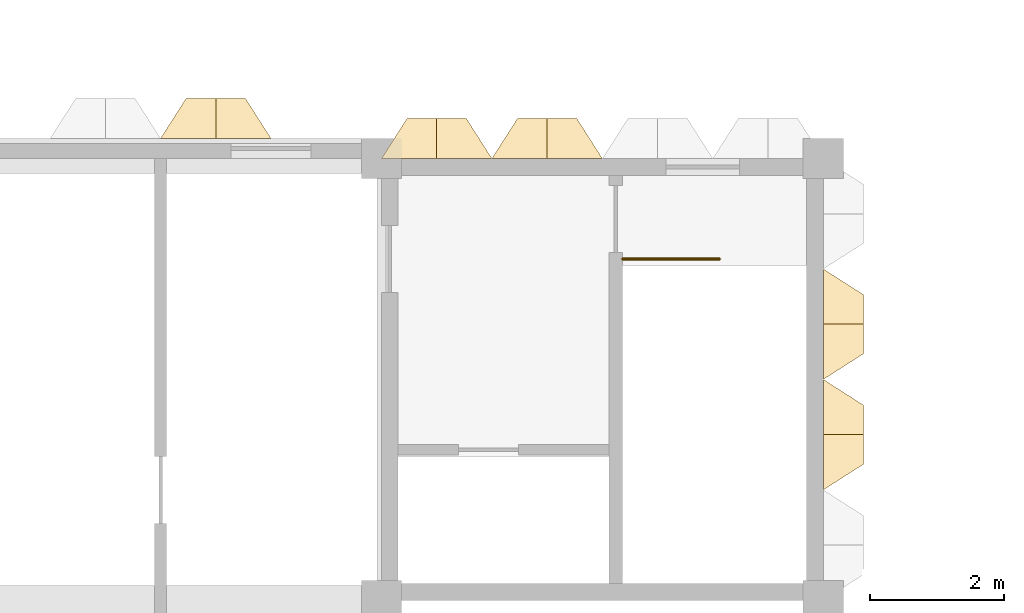
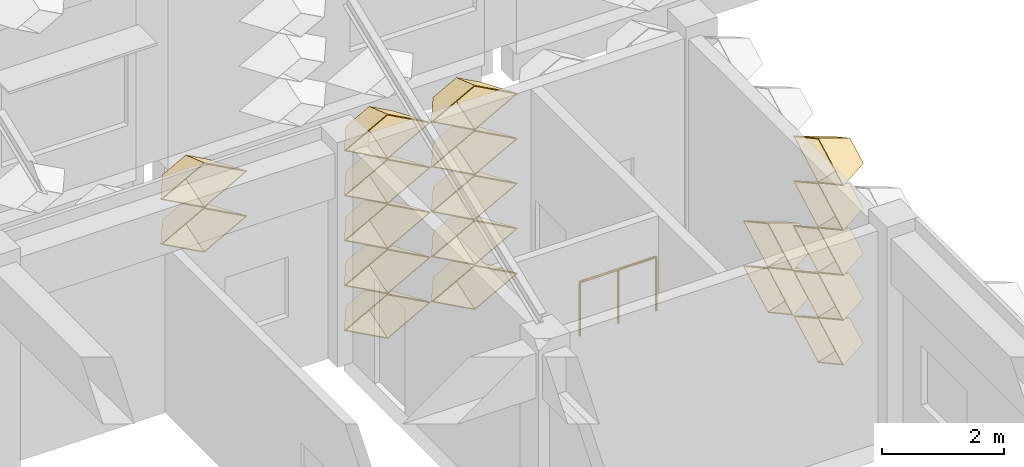
# One storey, part 85 of 102: 19 coverings, 1 railing.
"""IFC4 building model written with IfcOpenShell, lengths in metres."""

from ifc_helpers import new_model, entity, si_unit, direction, frame, origin, origin_2d, place, context, subcontext, project, spatial, circle, extrude, material, layer, layer_set, type_object, element, save


model = new_model("IFC4")

# Units and contexts
model_context = context("Model", 3, precision=1e-05, world=origin(), true_north=direction((0.0, 1.0)))
body_context = subcontext(model_context, "Body", "Model", "MODEL_VIEW")
ifc_project = project(units=[si_unit("LENGTHUNIT", "METRE"), si_unit("AREAUNIT", "SQUARE_METRE"), si_unit("VOLUMEUNIT", "CUBIC_METRE"), si_unit("PLANEANGLEUNIT", "RADIAN"), si_unit("MASSUNIT", "GRAM", prefix="KILO")], contexts=[model_context])

# Site, building, storey
site_placement = place(None, origin())
site = spatial("IfcSite", under=ifc_project, at=site_placement, CompositionType="ELEMENT")
building_placement = place(site_placement, origin())
building = spatial("IfcBuilding", under=site, at=building_placement, Name="Lantern Court Research Institute", CompositionType="ELEMENT")
storey_placement = place(building_placement, frame((0.0, 0.0, 9.89990234375)))
storey = spatial("IfcBuildingStorey", under=building, at=storey_placement, Name="L02", CompositionType="ELEMENT", Elevation=9.89990234375)

# Coverings
ifc_material_1 = material(Name="Anodised aluminium", Category="aluminium")
ifc_layer = layer(ifc_material_1, 0.01611328125)
ifc_layer_set = layer_set([ifc_layer], Name="Anodised aluminium")
covering_type = type_object("IfcCoveringType", Name="Fin cassette 1650 x 900 x 600 aluminium", PredefinedType="CLADDING", material=ifc_layer_set)
covering_1_placement = place(storey_placement, frame((26.39990234375, 71.77490234375, 0.4501953125), z_axis=(1.0, 0.0, 0.0), x_axis=(0.0, 1.0, 0.0)))
cartesian_point_1 = entity("IfcCartesianPoint", [0.824951171875, 0.0])
cartesian_point_2 = entity("IfcCartesianPoint", [0.79150390625, 0.0])
cartesian_point_3 = entity("IfcCartesianPoint", [0.44189453125, 0.0])
cartesian_point_4 = entity("IfcCartesianPoint", [0.43359375, 0.0])
element("IfcCovering", 1, at=covering_1_placement, inside=storey, type_object=covering_type, Name="Fin cassette V3E-L02 1.44", PredefinedType="CLADDING", context=body_context, shape_type="SweptSolid", body=[
    entity("IfcExtrudedAreaSolidTapered", entity("IfcArbitraryProfileDefWithVoids", "AREA", None, entity("IfcPolyline", [cartesian_point_1, entity("IfcCartesianPoint", [0.0, 0.449951171875]), entity("IfcCartesianPoint", [-0.824951171875, 0.0]), entity("IfcCartesianPoint", [0.0, -0.449951171875]), cartesian_point_1]), [entity("IfcPolyline", [cartesian_point_2, entity("IfcCartesianPoint", [0.0, 0.431884765625]), entity("IfcCartesianPoint", [-0.79150390625, 0.0]), entity("IfcCartesianPoint", [0.0, -0.431884765625]), cartesian_point_2])]), entity("IfcAxis2Placement3D", entity("IfcCartesianPoint", [0.0, 0.0, 0.0])), entity("IfcDirection", [0.0, 0.0, 1.0]), 0.60009765625, entity("IfcArbitraryProfileDefWithVoids", "AREA", None, entity("IfcPolyline", [cartesian_point_3, entity("IfcCartesianPoint", [0.0, 0.240966796875]), entity("IfcCartesianPoint", [-0.44189453125, 0.0]), entity("IfcCartesianPoint", [0.0, -0.240966796875]), cartesian_point_3]), [entity("IfcPolyline", [cartesian_point_4, entity("IfcCartesianPoint", [0.0, 0.236572265625]), entity("IfcCartesianPoint", [-0.43359375, 0.0]), entity("IfcCartesianPoint", [0.0, -0.236572265625]), cartesian_point_4])])),
])
covering_2_placement = place(storey_placement, frame((26.39990234375, 73.425048828125, 0.4501953125), z_axis=(1.0, 0.0, 0.0), x_axis=(0.0, 1.0, 0.0)))
cartesian_point_5 = entity("IfcCartesianPoint", [0.824951171875, 0.0])
cartesian_point_6 = entity("IfcCartesianPoint", [0.79150390625, 0.0])
cartesian_point_7 = entity("IfcCartesianPoint", [0.44189453125, 0.0])
cartesian_point_8 = entity("IfcCartesianPoint", [0.43359375, 0.0])
element("IfcCovering", 2, at=covering_2_placement, inside=storey, type_object=covering_type, Name="Fin cassette V3E-L02 1.45", PredefinedType="CLADDING", context=body_context, shape_type="SweptSolid", body=[
    entity("IfcExtrudedAreaSolidTapered", entity("IfcArbitraryProfileDefWithVoids", "AREA", None, entity("IfcPolyline", [cartesian_point_5, entity("IfcCartesianPoint", [0.0, 0.449951171875]), entity("IfcCartesianPoint", [-0.824951171875, 0.0]), entity("IfcCartesianPoint", [0.0, -0.449951171875]), cartesian_point_5]), [entity("IfcPolyline", [cartesian_point_6, entity("IfcCartesianPoint", [0.0, 0.431884765625]), entity("IfcCartesianPoint", [-0.79150390625, 0.0]), entity("IfcCartesianPoint", [0.0, -0.431884765625]), cartesian_point_6])]), entity("IfcAxis2Placement3D", entity("IfcCartesianPoint", [0.0, 0.0, 0.0])), entity("IfcDirection", [0.0, 0.0, 1.0]), 0.60009765625, entity("IfcArbitraryProfileDefWithVoids", "AREA", None, entity("IfcPolyline", [cartesian_point_7, entity("IfcCartesianPoint", [0.0, 0.240966796875]), entity("IfcCartesianPoint", [-0.44189453125, 0.0]), entity("IfcCartesianPoint", [0.0, -0.240966796875]), cartesian_point_7]), [entity("IfcPolyline", [cartesian_point_8, entity("IfcCartesianPoint", [0.0, 0.236572265625]), entity("IfcCartesianPoint", [-0.43359375, 0.0]), entity("IfcCartesianPoint", [0.0, -0.236572265625]), cartesian_point_8])])),
])
covering_3_placement = place(storey_placement, frame((26.39990234375, 71.77490234375, 1.35009765625), z_axis=(1.0, 0.0, 0.0), x_axis=(0.0, 1.0, 0.0)))
cartesian_point_9 = entity("IfcCartesianPoint", [0.824951171875, 0.0])
cartesian_point_10 = entity("IfcCartesianPoint", [0.79150390625, 0.0])
cartesian_point_11 = entity("IfcCartesianPoint", [0.44189453125, 0.0])
cartesian_point_12 = entity("IfcCartesianPoint", [0.43359375, 0.0])
element("IfcCovering", 3, at=covering_3_placement, inside=storey, type_object=covering_type, Name="Fin cassette V3E-L02 2.44", PredefinedType="CLADDING", context=body_context, shape_type="SweptSolid", body=[
    entity("IfcExtrudedAreaSolidTapered", entity("IfcArbitraryProfileDefWithVoids", "AREA", None, entity("IfcPolyline", [cartesian_point_9, entity("IfcCartesianPoint", [0.0, 0.449951171875]), entity("IfcCartesianPoint", [-0.824951171875, 0.0]), entity("IfcCartesianPoint", [0.0, -0.449951171875]), cartesian_point_9]), [entity("IfcPolyline", [cartesian_point_10, entity("IfcCartesianPoint", [0.0, 0.431884765625]), entity("IfcCartesianPoint", [-0.79150390625, 0.0]), entity("IfcCartesianPoint", [0.0, -0.431884765625]), cartesian_point_10])]), entity("IfcAxis2Placement3D", entity("IfcCartesianPoint", [0.0, 0.0, 0.0])), entity("IfcDirection", [0.0, 0.0, 1.0]), 0.60009765625, entity("IfcArbitraryProfileDefWithVoids", "AREA", None, entity("IfcPolyline", [cartesian_point_11, entity("IfcCartesianPoint", [0.0, 0.240966796875]), entity("IfcCartesianPoint", [-0.44189453125, 0.0]), entity("IfcCartesianPoint", [0.0, -0.240966796875]), cartesian_point_11]), [entity("IfcPolyline", [cartesian_point_12, entity("IfcCartesianPoint", [0.0, 0.236572265625]), entity("IfcCartesianPoint", [-0.43359375, 0.0]), entity("IfcCartesianPoint", [0.0, -0.236572265625]), cartesian_point_12])])),
])
covering_4_placement = place(storey_placement, frame((26.39990234375, 73.425048828125, 1.35009765625), z_axis=(1.0, 0.0, 0.0), x_axis=(0.0, 1.0, 0.0)))
cartesian_point_13 = entity("IfcCartesianPoint", [0.824951171875, 0.0])
cartesian_point_14 = entity("IfcCartesianPoint", [0.79150390625, 0.0])
cartesian_point_15 = entity("IfcCartesianPoint", [0.44189453125, 0.0])
cartesian_point_16 = entity("IfcCartesianPoint", [0.43359375, 0.0])
element("IfcCovering", 4, at=covering_4_placement, inside=storey, type_object=covering_type, Name="Fin cassette V3E-L02 2.45", PredefinedType="CLADDING", context=body_context, shape_type="SweptSolid", body=[
    entity("IfcExtrudedAreaSolidTapered", entity("IfcArbitraryProfileDefWithVoids", "AREA", None, entity("IfcPolyline", [cartesian_point_13, entity("IfcCartesianPoint", [0.0, 0.449951171875]), entity("IfcCartesianPoint", [-0.824951171875, 0.0]), entity("IfcCartesianPoint", [0.0, -0.449951171875]), cartesian_point_13]), [entity("IfcPolyline", [cartesian_point_14, entity("IfcCartesianPoint", [0.0, 0.431884765625]), entity("IfcCartesianPoint", [-0.79150390625, 0.0]), entity("IfcCartesianPoint", [0.0, -0.431884765625]), cartesian_point_14])]), entity("IfcAxis2Placement3D", entity("IfcCartesianPoint", [0.0, 0.0, 0.0])), entity("IfcDirection", [0.0, 0.0, 1.0]), 0.60009765625, entity("IfcArbitraryProfileDefWithVoids", "AREA", None, entity("IfcPolyline", [cartesian_point_15, entity("IfcCartesianPoint", [0.0, 0.240966796875]), entity("IfcCartesianPoint", [-0.44189453125, 0.0]), entity("IfcCartesianPoint", [0.0, -0.240966796875]), cartesian_point_15]), [entity("IfcPolyline", [cartesian_point_16, entity("IfcCartesianPoint", [0.0, 0.236572265625]), entity("IfcCartesianPoint", [-0.43359375, 0.0]), entity("IfcCartesianPoint", [0.0, -0.236572265625]), cartesian_point_16])])),
])
covering_5_placement = place(storey_placement, frame((26.39990234375, 71.77490234375, 2.25), z_axis=(1.0, 0.0, 0.0), x_axis=(0.0, 1.0, 0.0)))
cartesian_point_17 = entity("IfcCartesianPoint", [0.824951171875, 0.0])
cartesian_point_18 = entity("IfcCartesianPoint", [0.79150390625, 0.0])
cartesian_point_19 = entity("IfcCartesianPoint", [0.44189453125, 0.0])
cartesian_point_20 = entity("IfcCartesianPoint", [0.43359375, 0.0])
element("IfcCovering", 5, at=covering_5_placement, inside=storey, type_object=covering_type, Name="Fin cassette V3E-L02 3.44", PredefinedType="CLADDING", context=body_context, shape_type="SweptSolid", body=[
    entity("IfcExtrudedAreaSolidTapered", entity("IfcArbitraryProfileDefWithVoids", "AREA", None, entity("IfcPolyline", [cartesian_point_17, entity("IfcCartesianPoint", [0.0, 0.449951171875]), entity("IfcCartesianPoint", [-0.824951171875, 0.0]), entity("IfcCartesianPoint", [0.0, -0.449951171875]), cartesian_point_17]), [entity("IfcPolyline", [cartesian_point_18, entity("IfcCartesianPoint", [0.0, 0.431884765625]), entity("IfcCartesianPoint", [-0.79150390625, 0.0]), entity("IfcCartesianPoint", [0.0, -0.431884765625]), cartesian_point_18])]), entity("IfcAxis2Placement3D", entity("IfcCartesianPoint", [0.0, 0.0, 0.0])), entity("IfcDirection", [0.0, 0.0, 1.0]), 0.60009765625, entity("IfcArbitraryProfileDefWithVoids", "AREA", None, entity("IfcPolyline", [cartesian_point_19, entity("IfcCartesianPoint", [0.0, 0.240966796875]), entity("IfcCartesianPoint", [-0.44189453125, 0.0]), entity("IfcCartesianPoint", [0.0, -0.240966796875]), cartesian_point_19]), [entity("IfcPolyline", [cartesian_point_20, entity("IfcCartesianPoint", [0.0, 0.236572265625]), entity("IfcCartesianPoint", [-0.43359375, 0.0]), entity("IfcCartesianPoint", [0.0, -0.236572265625]), cartesian_point_20])])),
])
covering_6_placement = place(storey_placement, frame((26.39990234375, 71.77490234375, 3.150146484375), z_axis=(1.0, 0.0, 0.0), x_axis=(0.0, 1.0, 0.0)))
cartesian_point_21 = entity("IfcCartesianPoint", [0.824951171875, 0.0])
cartesian_point_22 = entity("IfcCartesianPoint", [0.79150390625, 0.0])
cartesian_point_23 = entity("IfcCartesianPoint", [0.44189453125, 0.0])
cartesian_point_24 = entity("IfcCartesianPoint", [0.43359375, 0.0])
element("IfcCovering", 6, at=covering_6_placement, inside=storey, type_object=covering_type, Name="Fin cassette V3E-L02 4.44", PredefinedType="CLADDING", context=body_context, shape_type="SweptSolid", body=[
    entity("IfcExtrudedAreaSolidTapered", entity("IfcArbitraryProfileDefWithVoids", "AREA", None, entity("IfcPolyline", [cartesian_point_21, entity("IfcCartesianPoint", [0.0, 0.449951171875]), entity("IfcCartesianPoint", [-0.824951171875, 0.0]), entity("IfcCartesianPoint", [0.0, -0.449951171875]), cartesian_point_21]), [entity("IfcPolyline", [cartesian_point_22, entity("IfcCartesianPoint", [0.0, 0.431884765625]), entity("IfcCartesianPoint", [-0.79150390625, 0.0]), entity("IfcCartesianPoint", [0.0, -0.431884765625]), cartesian_point_22])]), entity("IfcAxis2Placement3D", entity("IfcCartesianPoint", [0.0, 0.0, 0.0])), entity("IfcDirection", [0.0, 0.0, 1.0]), 0.60009765625, entity("IfcArbitraryProfileDefWithVoids", "AREA", None, entity("IfcPolyline", [cartesian_point_23, entity("IfcCartesianPoint", [0.0, 0.240966796875]), entity("IfcCartesianPoint", [-0.44189453125, 0.0]), entity("IfcCartesianPoint", [0.0, -0.240966796875]), cartesian_point_23]), [entity("IfcPolyline", [cartesian_point_24, entity("IfcCartesianPoint", [0.0, 0.236572265625]), entity("IfcCartesianPoint", [-0.43359375, 0.0]), entity("IfcCartesianPoint", [0.0, -0.236572265625]), cartesian_point_24])])),
])
covering_7_placement = place(storey_placement, frame((26.39990234375, 71.77490234375, 4.050048828125), z_axis=(1.0, 0.0, 0.0), x_axis=(0.0, 1.0, 0.0)))
cartesian_point_25 = entity("IfcCartesianPoint", [0.824951171875, 0.0])
cartesian_point_26 = entity("IfcCartesianPoint", [0.79150390625, 0.0])
cartesian_point_27 = entity("IfcCartesianPoint", [0.44189453125, 0.0])
cartesian_point_28 = entity("IfcCartesianPoint", [0.43359375, 0.0])
element("IfcCovering", 7, at=covering_7_placement, inside=storey, type_object=covering_type, Name="Fin cassette V3E-L02 5.44", PredefinedType="CLADDING", context=body_context, shape_type="SweptSolid", body=[
    entity("IfcExtrudedAreaSolidTapered", entity("IfcArbitraryProfileDefWithVoids", "AREA", None, entity("IfcPolyline", [cartesian_point_25, entity("IfcCartesianPoint", [0.0, 0.449951171875]), entity("IfcCartesianPoint", [-0.824951171875, 0.0]), entity("IfcCartesianPoint", [0.0, -0.449951171875]), cartesian_point_25]), [entity("IfcPolyline", [cartesian_point_26, entity("IfcCartesianPoint", [0.0, 0.431884765625]), entity("IfcCartesianPoint", [-0.79150390625, 0.0]), entity("IfcCartesianPoint", [0.0, -0.431884765625]), cartesian_point_26])]), entity("IfcAxis2Placement3D", entity("IfcCartesianPoint", [0.0, 0.0, 0.0])), entity("IfcDirection", [0.0, 0.0, 1.0]), 0.60009765625, entity("IfcArbitraryProfileDefWithVoids", "AREA", None, entity("IfcPolyline", [cartesian_point_27, entity("IfcCartesianPoint", [0.0, 0.240966796875]), entity("IfcCartesianPoint", [-0.44189453125, 0.0]), entity("IfcCartesianPoint", [0.0, -0.240966796875]), cartesian_point_27]), [entity("IfcPolyline", [cartesian_point_28, entity("IfcCartesianPoint", [0.0, 0.236572265625]), entity("IfcCartesianPoint", [-0.43359375, 0.0]), entity("IfcCartesianPoint", [0.0, -0.236572265625]), cartesian_point_28])])),
])
covering_8_placement = place(storey_placement, frame((20.625, 75.89990234375, 0.4501953125), z_axis=(0.0, 1.0, 0.0), x_axis=(-1.0, 0.0, 0.0)))
cartesian_point_29 = entity("IfcCartesianPoint", [0.824951171875, 0.0])
cartesian_point_30 = entity("IfcCartesianPoint", [0.79150390625, 0.0])
cartesian_point_31 = entity("IfcCartesianPoint", [0.44189453125, 0.0])
cartesian_point_32 = entity("IfcCartesianPoint", [0.43359375, 0.0])
element("IfcCovering", 8, at=covering_8_placement, inside=storey, type_object=covering_type, Name="Fin cassette V3N-L02 1.13", PredefinedType="CLADDING", context=body_context, shape_type="SweptSolid", body=[
    entity("IfcExtrudedAreaSolidTapered", entity("IfcArbitraryProfileDefWithVoids", "AREA", None, entity("IfcPolyline", [cartesian_point_29, entity("IfcCartesianPoint", [0.0, 0.449951171875]), entity("IfcCartesianPoint", [-0.824951171875, 0.0]), entity("IfcCartesianPoint", [0.0, -0.449951171875]), cartesian_point_29]), [entity("IfcPolyline", [cartesian_point_30, entity("IfcCartesianPoint", [0.0, 0.431884765625]), entity("IfcCartesianPoint", [-0.79150390625, 0.0]), entity("IfcCartesianPoint", [0.0, -0.431884765625]), cartesian_point_30])]), entity("IfcAxis2Placement3D", entity("IfcCartesianPoint", [0.0, 0.0, 0.0])), entity("IfcDirection", [0.0, 0.0, 1.0]), 0.60009765625, entity("IfcArbitraryProfileDefWithVoids", "AREA", None, entity("IfcPolyline", [cartesian_point_31, entity("IfcCartesianPoint", [0.0, 0.240966796875]), entity("IfcCartesianPoint", [-0.44189453125, 0.0]), entity("IfcCartesianPoint", [0.0, -0.240966796875]), cartesian_point_31]), [entity("IfcPolyline", [cartesian_point_32, entity("IfcCartesianPoint", [0.0, 0.236572265625]), entity("IfcCartesianPoint", [-0.43359375, 0.0]), entity("IfcCartesianPoint", [0.0, -0.236572265625]), cartesian_point_32])])),
])
covering_9_placement = place(storey_placement, frame((22.27490234375, 75.89990234375, 0.4501953125), z_axis=(0.0, 1.0, 0.0), x_axis=(-1.0, 0.0, 0.0)))
cartesian_point_33 = entity("IfcCartesianPoint", [0.824951171875, 0.0])
cartesian_point_34 = entity("IfcCartesianPoint", [0.79150390625, 0.0])
cartesian_point_35 = entity("IfcCartesianPoint", [0.44189453125, 0.0])
cartesian_point_36 = entity("IfcCartesianPoint", [0.43359375, 0.0])
element("IfcCovering", 9, at=covering_9_placement, inside=storey, type_object=covering_type, Name="Fin cassette V3N-L02 1.14", PredefinedType="CLADDING", context=body_context, shape_type="SweptSolid", body=[
    entity("IfcExtrudedAreaSolidTapered", entity("IfcArbitraryProfileDefWithVoids", "AREA", None, entity("IfcPolyline", [cartesian_point_33, entity("IfcCartesianPoint", [0.0, 0.449951171875]), entity("IfcCartesianPoint", [-0.824951171875, 0.0]), entity("IfcCartesianPoint", [0.0, -0.449951171875]), cartesian_point_33]), [entity("IfcPolyline", [cartesian_point_34, entity("IfcCartesianPoint", [0.0, 0.431884765625]), entity("IfcCartesianPoint", [-0.79150390625, 0.0]), entity("IfcCartesianPoint", [0.0, -0.431884765625]), cartesian_point_34])]), entity("IfcAxis2Placement3D", entity("IfcCartesianPoint", [0.0, 0.0, 0.0])), entity("IfcDirection", [0.0, 0.0, 1.0]), 0.60009765625, entity("IfcArbitraryProfileDefWithVoids", "AREA", None, entity("IfcPolyline", [cartesian_point_35, entity("IfcCartesianPoint", [0.0, 0.240966796875]), entity("IfcCartesianPoint", [-0.44189453125, 0.0]), entity("IfcCartesianPoint", [0.0, -0.240966796875]), cartesian_point_35]), [entity("IfcPolyline", [cartesian_point_36, entity("IfcCartesianPoint", [0.0, 0.236572265625]), entity("IfcCartesianPoint", [-0.43359375, 0.0]), entity("IfcCartesianPoint", [0.0, -0.236572265625]), cartesian_point_36])])),
])
covering_10_placement = place(storey_placement, frame((20.625, 75.89990234375, 1.35009765625), z_axis=(0.0, 1.0, 0.0), x_axis=(-1.0, 0.0, 0.0)))
cartesian_point_37 = entity("IfcCartesianPoint", [0.824951171875, 0.0])
cartesian_point_38 = entity("IfcCartesianPoint", [0.79150390625, 0.0])
cartesian_point_39 = entity("IfcCartesianPoint", [0.44189453125, 0.0])
cartesian_point_40 = entity("IfcCartesianPoint", [0.43359375, 0.0])
element("IfcCovering", 10, at=covering_10_placement, inside=storey, type_object=covering_type, Name="Fin cassette V3N-L02 2.13", PredefinedType="CLADDING", context=body_context, shape_type="SweptSolid", body=[
    entity("IfcExtrudedAreaSolidTapered", entity("IfcArbitraryProfileDefWithVoids", "AREA", None, entity("IfcPolyline", [cartesian_point_37, entity("IfcCartesianPoint", [0.0, 0.449951171875]), entity("IfcCartesianPoint", [-0.824951171875, 0.0]), entity("IfcCartesianPoint", [0.0, -0.449951171875]), cartesian_point_37]), [entity("IfcPolyline", [cartesian_point_38, entity("IfcCartesianPoint", [0.0, 0.431884765625]), entity("IfcCartesianPoint", [-0.79150390625, 0.0]), entity("IfcCartesianPoint", [0.0, -0.431884765625]), cartesian_point_38])]), entity("IfcAxis2Placement3D", entity("IfcCartesianPoint", [0.0, 0.0, 0.0])), entity("IfcDirection", [0.0, 0.0, 1.0]), 0.60009765625, entity("IfcArbitraryProfileDefWithVoids", "AREA", None, entity("IfcPolyline", [cartesian_point_39, entity("IfcCartesianPoint", [0.0, 0.240966796875]), entity("IfcCartesianPoint", [-0.44189453125, 0.0]), entity("IfcCartesianPoint", [0.0, -0.240966796875]), cartesian_point_39]), [entity("IfcPolyline", [cartesian_point_40, entity("IfcCartesianPoint", [0.0, 0.236572265625]), entity("IfcCartesianPoint", [-0.43359375, 0.0]), entity("IfcCartesianPoint", [0.0, -0.236572265625]), cartesian_point_40])])),
])
covering_11_placement = place(storey_placement, frame((22.27490234375, 75.89990234375, 1.35009765625), z_axis=(0.0, 1.0, 0.0), x_axis=(-1.0, 0.0, 0.0)))
cartesian_point_41 = entity("IfcCartesianPoint", [0.824951171875, 0.0])
cartesian_point_42 = entity("IfcCartesianPoint", [0.79150390625, 0.0])
cartesian_point_43 = entity("IfcCartesianPoint", [0.44189453125, 0.0])
cartesian_point_44 = entity("IfcCartesianPoint", [0.43359375, 0.0])
element("IfcCovering", 11, at=covering_11_placement, inside=storey, type_object=covering_type, Name="Fin cassette V3N-L02 2.14", PredefinedType="CLADDING", context=body_context, shape_type="SweptSolid", body=[
    entity("IfcExtrudedAreaSolidTapered", entity("IfcArbitraryProfileDefWithVoids", "AREA", None, entity("IfcPolyline", [cartesian_point_41, entity("IfcCartesianPoint", [0.0, 0.449951171875]), entity("IfcCartesianPoint", [-0.824951171875, 0.0]), entity("IfcCartesianPoint", [0.0, -0.449951171875]), cartesian_point_41]), [entity("IfcPolyline", [cartesian_point_42, entity("IfcCartesianPoint", [0.0, 0.431884765625]), entity("IfcCartesianPoint", [-0.79150390625, 0.0]), entity("IfcCartesianPoint", [0.0, -0.431884765625]), cartesian_point_42])]), entity("IfcAxis2Placement3D", entity("IfcCartesianPoint", [0.0, 0.0, 0.0])), entity("IfcDirection", [0.0, 0.0, 1.0]), 0.60009765625, entity("IfcArbitraryProfileDefWithVoids", "AREA", None, entity("IfcPolyline", [cartesian_point_43, entity("IfcCartesianPoint", [0.0, 0.240966796875]), entity("IfcCartesianPoint", [-0.44189453125, 0.0]), entity("IfcCartesianPoint", [0.0, -0.240966796875]), cartesian_point_43]), [entity("IfcPolyline", [cartesian_point_44, entity("IfcCartesianPoint", [0.0, 0.236572265625]), entity("IfcCartesianPoint", [-0.43359375, 0.0]), entity("IfcCartesianPoint", [0.0, -0.236572265625]), cartesian_point_44])])),
])
covering_12_placement = place(storey_placement, frame((20.625, 75.89990234375, 2.25), z_axis=(0.0, 1.0, 0.0), x_axis=(-1.0, 0.0, 0.0)))
cartesian_point_45 = entity("IfcCartesianPoint", [0.824951171875, 0.0])
cartesian_point_46 = entity("IfcCartesianPoint", [0.79150390625, 0.0])
cartesian_point_47 = entity("IfcCartesianPoint", [0.44189453125, 0.0])
cartesian_point_48 = entity("IfcCartesianPoint", [0.43359375, 0.0])
element("IfcCovering", 12, at=covering_12_placement, inside=storey, type_object=covering_type, Name="Fin cassette V3N-L02 3.13", PredefinedType="CLADDING", context=body_context, shape_type="SweptSolid", body=[
    entity("IfcExtrudedAreaSolidTapered", entity("IfcArbitraryProfileDefWithVoids", "AREA", None, entity("IfcPolyline", [cartesian_point_45, entity("IfcCartesianPoint", [0.0, 0.449951171875]), entity("IfcCartesianPoint", [-0.824951171875, 0.0]), entity("IfcCartesianPoint", [0.0, -0.449951171875]), cartesian_point_45]), [entity("IfcPolyline", [cartesian_point_46, entity("IfcCartesianPoint", [0.0, 0.431884765625]), entity("IfcCartesianPoint", [-0.79150390625, 0.0]), entity("IfcCartesianPoint", [0.0, -0.431884765625]), cartesian_point_46])]), entity("IfcAxis2Placement3D", entity("IfcCartesianPoint", [0.0, 0.0, 0.0])), entity("IfcDirection", [0.0, 0.0, 1.0]), 0.60009765625, entity("IfcArbitraryProfileDefWithVoids", "AREA", None, entity("IfcPolyline", [cartesian_point_47, entity("IfcCartesianPoint", [0.0, 0.240966796875]), entity("IfcCartesianPoint", [-0.44189453125, 0.0]), entity("IfcCartesianPoint", [0.0, -0.240966796875]), cartesian_point_47]), [entity("IfcPolyline", [cartesian_point_48, entity("IfcCartesianPoint", [0.0, 0.236572265625]), entity("IfcCartesianPoint", [-0.43359375, 0.0]), entity("IfcCartesianPoint", [0.0, -0.236572265625]), cartesian_point_48])])),
])
covering_13_placement = place(storey_placement, frame((22.27490234375, 75.89990234375, 2.25), z_axis=(0.0, 1.0, 0.0), x_axis=(-1.0, 0.0, 0.0)))
cartesian_point_49 = entity("IfcCartesianPoint", [0.824951171875, 0.0])
cartesian_point_50 = entity("IfcCartesianPoint", [0.79150390625, 0.0])
cartesian_point_51 = entity("IfcCartesianPoint", [0.44189453125, 0.0])
cartesian_point_52 = entity("IfcCartesianPoint", [0.43359375, 0.0])
element("IfcCovering", 13, at=covering_13_placement, inside=storey, type_object=covering_type, Name="Fin cassette V3N-L02 3.14", PredefinedType="CLADDING", context=body_context, shape_type="SweptSolid", body=[
    entity("IfcExtrudedAreaSolidTapered", entity("IfcArbitraryProfileDefWithVoids", "AREA", None, entity("IfcPolyline", [cartesian_point_49, entity("IfcCartesianPoint", [0.0, 0.449951171875]), entity("IfcCartesianPoint", [-0.824951171875, 0.0]), entity("IfcCartesianPoint", [0.0, -0.449951171875]), cartesian_point_49]), [entity("IfcPolyline", [cartesian_point_50, entity("IfcCartesianPoint", [0.0, 0.431884765625]), entity("IfcCartesianPoint", [-0.79150390625, 0.0]), entity("IfcCartesianPoint", [0.0, -0.431884765625]), cartesian_point_50])]), entity("IfcAxis2Placement3D", entity("IfcCartesianPoint", [0.0, 0.0, 0.0])), entity("IfcDirection", [0.0, 0.0, 1.0]), 0.60009765625, entity("IfcArbitraryProfileDefWithVoids", "AREA", None, entity("IfcPolyline", [cartesian_point_51, entity("IfcCartesianPoint", [0.0, 0.240966796875]), entity("IfcCartesianPoint", [-0.44189453125, 0.0]), entity("IfcCartesianPoint", [0.0, -0.240966796875]), cartesian_point_51]), [entity("IfcPolyline", [cartesian_point_52, entity("IfcCartesianPoint", [0.0, 0.236572265625]), entity("IfcCartesianPoint", [-0.43359375, 0.0]), entity("IfcCartesianPoint", [0.0, -0.236572265625]), cartesian_point_52])])),
])
covering_14_placement = place(storey_placement, frame((20.625, 75.89990234375, 3.150146484375), z_axis=(0.0, 1.0, 0.0), x_axis=(-1.0, 0.0, 0.0)))
cartesian_point_53 = entity("IfcCartesianPoint", [0.824951171875, 0.0])
cartesian_point_54 = entity("IfcCartesianPoint", [0.79150390625, 0.0])
cartesian_point_55 = entity("IfcCartesianPoint", [0.44189453125, 0.0])
cartesian_point_56 = entity("IfcCartesianPoint", [0.43359375, 0.0])
element("IfcCovering", 14, at=covering_14_placement, inside=storey, type_object=covering_type, Name="Fin cassette V3N-L02 4.13", PredefinedType="CLADDING", context=body_context, shape_type="SweptSolid", body=[
    entity("IfcExtrudedAreaSolidTapered", entity("IfcArbitraryProfileDefWithVoids", "AREA", None, entity("IfcPolyline", [cartesian_point_53, entity("IfcCartesianPoint", [0.0, 0.449951171875]), entity("IfcCartesianPoint", [-0.824951171875, 0.0]), entity("IfcCartesianPoint", [0.0, -0.449951171875]), cartesian_point_53]), [entity("IfcPolyline", [cartesian_point_54, entity("IfcCartesianPoint", [0.0, 0.431884765625]), entity("IfcCartesianPoint", [-0.79150390625, 0.0]), entity("IfcCartesianPoint", [0.0, -0.431884765625]), cartesian_point_54])]), entity("IfcAxis2Placement3D", entity("IfcCartesianPoint", [0.0, 0.0, 0.0])), entity("IfcDirection", [0.0, 0.0, 1.0]), 0.60009765625, entity("IfcArbitraryProfileDefWithVoids", "AREA", None, entity("IfcPolyline", [cartesian_point_55, entity("IfcCartesianPoint", [0.0, 0.240966796875]), entity("IfcCartesianPoint", [-0.44189453125, 0.0]), entity("IfcCartesianPoint", [0.0, -0.240966796875]), cartesian_point_55]), [entity("IfcPolyline", [cartesian_point_56, entity("IfcCartesianPoint", [0.0, 0.236572265625]), entity("IfcCartesianPoint", [-0.43359375, 0.0]), entity("IfcCartesianPoint", [0.0, -0.236572265625]), cartesian_point_56])])),
])
covering_15_placement = place(storey_placement, frame((22.27490234375, 75.89990234375, 3.150146484375), z_axis=(0.0, 1.0, 0.0), x_axis=(-1.0, 0.0, 0.0)))
cartesian_point_57 = entity("IfcCartesianPoint", [0.824951171875, 0.0])
cartesian_point_58 = entity("IfcCartesianPoint", [0.79150390625, 0.0])
cartesian_point_59 = entity("IfcCartesianPoint", [0.44189453125, 0.0])
cartesian_point_60 = entity("IfcCartesianPoint", [0.43359375, 0.0])
element("IfcCovering", 15, at=covering_15_placement, inside=storey, type_object=covering_type, Name="Fin cassette V3N-L02 4.14", PredefinedType="CLADDING", context=body_context, shape_type="SweptSolid", body=[
    entity("IfcExtrudedAreaSolidTapered", entity("IfcArbitraryProfileDefWithVoids", "AREA", None, entity("IfcPolyline", [cartesian_point_57, entity("IfcCartesianPoint", [0.0, 0.449951171875]), entity("IfcCartesianPoint", [-0.824951171875, 0.0]), entity("IfcCartesianPoint", [0.0, -0.449951171875]), cartesian_point_57]), [entity("IfcPolyline", [cartesian_point_58, entity("IfcCartesianPoint", [0.0, 0.431884765625]), entity("IfcCartesianPoint", [-0.79150390625, 0.0]), entity("IfcCartesianPoint", [0.0, -0.431884765625]), cartesian_point_58])]), entity("IfcAxis2Placement3D", entity("IfcCartesianPoint", [0.0, 0.0, 0.0])), entity("IfcDirection", [0.0, 0.0, 1.0]), 0.60009765625, entity("IfcArbitraryProfileDefWithVoids", "AREA", None, entity("IfcPolyline", [cartesian_point_59, entity("IfcCartesianPoint", [0.0, 0.240966796875]), entity("IfcCartesianPoint", [-0.44189453125, 0.0]), entity("IfcCartesianPoint", [0.0, -0.240966796875]), cartesian_point_59]), [entity("IfcPolyline", [cartesian_point_60, entity("IfcCartesianPoint", [0.0, 0.236572265625]), entity("IfcCartesianPoint", [-0.43359375, 0.0]), entity("IfcCartesianPoint", [0.0, -0.236572265625]), cartesian_point_60])])),
])
covering_16_placement = place(storey_placement, frame((20.625, 75.89990234375, 4.050048828125), z_axis=(0.0, 1.0, 0.0), x_axis=(-1.0, 0.0, 0.0)))
cartesian_point_61 = entity("IfcCartesianPoint", [0.824951171875, 0.0])
cartesian_point_62 = entity("IfcCartesianPoint", [0.79150390625, 0.0])
cartesian_point_63 = entity("IfcCartesianPoint", [0.44189453125, 0.0])
cartesian_point_64 = entity("IfcCartesianPoint", [0.43359375, 0.0])
element("IfcCovering", 16, at=covering_16_placement, inside=storey, type_object=covering_type, Name="Fin cassette V3N-L02 5.13", PredefinedType="CLADDING", context=body_context, shape_type="SweptSolid", body=[
    entity("IfcExtrudedAreaSolidTapered", entity("IfcArbitraryProfileDefWithVoids", "AREA", None, entity("IfcPolyline", [cartesian_point_61, entity("IfcCartesianPoint", [0.0, 0.449951171875]), entity("IfcCartesianPoint", [-0.824951171875, 0.0]), entity("IfcCartesianPoint", [0.0, -0.449951171875]), cartesian_point_61]), [entity("IfcPolyline", [cartesian_point_62, entity("IfcCartesianPoint", [0.0, 0.431884765625]), entity("IfcCartesianPoint", [-0.79150390625, 0.0]), entity("IfcCartesianPoint", [0.0, -0.431884765625]), cartesian_point_62])]), entity("IfcAxis2Placement3D", entity("IfcCartesianPoint", [0.0, 0.0, 0.0])), entity("IfcDirection", [0.0, 0.0, 1.0]), 0.60009765625, entity("IfcArbitraryProfileDefWithVoids", "AREA", None, entity("IfcPolyline", [cartesian_point_63, entity("IfcCartesianPoint", [0.0, 0.240966796875]), entity("IfcCartesianPoint", [-0.44189453125, 0.0]), entity("IfcCartesianPoint", [0.0, -0.240966796875]), cartesian_point_63]), [entity("IfcPolyline", [cartesian_point_64, entity("IfcCartesianPoint", [0.0, 0.236572265625]), entity("IfcCartesianPoint", [-0.43359375, 0.0]), entity("IfcCartesianPoint", [0.0, -0.236572265625]), cartesian_point_64])])),
])
covering_17_placement = place(storey_placement, frame((22.27490234375, 75.89990234375, 4.050048828125), z_axis=(0.0, 1.0, 0.0), x_axis=(-1.0, 0.0, 0.0)))
cartesian_point_65 = entity("IfcCartesianPoint", [0.824951171875, 0.0])
cartesian_point_66 = entity("IfcCartesianPoint", [0.79150390625, 0.0])
cartesian_point_67 = entity("IfcCartesianPoint", [0.44189453125, 0.0])
cartesian_point_68 = entity("IfcCartesianPoint", [0.43359375, 0.0])
element("IfcCovering", 17, at=covering_17_placement, inside=storey, type_object=covering_type, Name="Fin cassette V3N-L02 5.14", PredefinedType="CLADDING", context=body_context, shape_type="SweptSolid", body=[
    entity("IfcExtrudedAreaSolidTapered", entity("IfcArbitraryProfileDefWithVoids", "AREA", None, entity("IfcPolyline", [cartesian_point_65, entity("IfcCartesianPoint", [0.0, 0.449951171875]), entity("IfcCartesianPoint", [-0.824951171875, 0.0]), entity("IfcCartesianPoint", [0.0, -0.449951171875]), cartesian_point_65]), [entity("IfcPolyline", [cartesian_point_66, entity("IfcCartesianPoint", [0.0, 0.431884765625]), entity("IfcCartesianPoint", [-0.79150390625, 0.0]), entity("IfcCartesianPoint", [0.0, -0.431884765625]), cartesian_point_66])]), entity("IfcAxis2Placement3D", entity("IfcCartesianPoint", [0.0, 0.0, 0.0])), entity("IfcDirection", [0.0, 0.0, 1.0]), 0.60009765625, entity("IfcArbitraryProfileDefWithVoids", "AREA", None, entity("IfcPolyline", [cartesian_point_67, entity("IfcCartesianPoint", [0.0, 0.240966796875]), entity("IfcCartesianPoint", [-0.44189453125, 0.0]), entity("IfcCartesianPoint", [0.0, -0.240966796875]), cartesian_point_67]), [entity("IfcPolyline", [cartesian_point_68, entity("IfcCartesianPoint", [0.0, 0.236572265625]), entity("IfcCartesianPoint", [-0.43359375, 0.0]), entity("IfcCartesianPoint", [0.0, -0.236572265625]), cartesian_point_68])])),
])
covering_18_placement = place(storey_placement, frame((17.324951171875, 76.199951171875, 3.150146484375), z_axis=(0.0, 1.0, 0.0), x_axis=(-1.0, 0.0, 0.0)))
cartesian_point_69 = entity("IfcCartesianPoint", [0.824951171875, 0.0])
cartesian_point_70 = entity("IfcCartesianPoint", [0.79150390625, 0.0])
cartesian_point_71 = entity("IfcCartesianPoint", [0.44189453125, 0.0])
cartesian_point_72 = entity("IfcCartesianPoint", [0.43359375, 0.0])
element("IfcCovering", 18, at=covering_18_placement, inside=storey, type_object=covering_type, Name="Fin cassette V3N-L02 4.11", PredefinedType="CLADDING", context=body_context, shape_type="SweptSolid", body=[
    entity("IfcExtrudedAreaSolidTapered", entity("IfcArbitraryProfileDefWithVoids", "AREA", None, entity("IfcPolyline", [cartesian_point_69, entity("IfcCartesianPoint", [0.0, 0.449951171875]), entity("IfcCartesianPoint", [-0.824951171875, 0.0]), entity("IfcCartesianPoint", [0.0, -0.449951171875]), cartesian_point_69]), [entity("IfcPolyline", [cartesian_point_70, entity("IfcCartesianPoint", [0.0, 0.431884765625]), entity("IfcCartesianPoint", [-0.79150390625, 0.0]), entity("IfcCartesianPoint", [0.0, -0.431884765625]), cartesian_point_70])]), entity("IfcAxis2Placement3D", entity("IfcCartesianPoint", [0.0, 0.0, 0.0])), entity("IfcDirection", [0.0, 0.0, 1.0]), 0.60009765625, entity("IfcArbitraryProfileDefWithVoids", "AREA", None, entity("IfcPolyline", [cartesian_point_71, entity("IfcCartesianPoint", [0.0, 0.240966796875]), entity("IfcCartesianPoint", [-0.44189453125, 0.0]), entity("IfcCartesianPoint", [0.0, -0.240966796875]), cartesian_point_71]), [entity("IfcPolyline", [cartesian_point_72, entity("IfcCartesianPoint", [0.0, 0.236572265625]), entity("IfcCartesianPoint", [-0.43359375, 0.0]), entity("IfcCartesianPoint", [0.0, -0.236572265625]), cartesian_point_72])])),
])
covering_19_placement = place(storey_placement, frame((17.324951171875, 76.199951171875, 4.050048828125), z_axis=(0.0, 1.0, 0.0), x_axis=(-1.0, 0.0, 0.0)))
cartesian_point_73 = entity("IfcCartesianPoint", [0.824951171875, 0.0])
cartesian_point_74 = entity("IfcCartesianPoint", [0.79150390625, 0.0])
cartesian_point_75 = entity("IfcCartesianPoint", [0.44189453125, 0.0])
cartesian_point_76 = entity("IfcCartesianPoint", [0.43359375, 0.0])
element("IfcCovering", 19, at=covering_19_placement, inside=storey, type_object=covering_type, Name="Fin cassette V3N-L02 5.11", PredefinedType="CLADDING", context=body_context, shape_type="SweptSolid", body=[
    entity("IfcExtrudedAreaSolidTapered", entity("IfcArbitraryProfileDefWithVoids", "AREA", None, entity("IfcPolyline", [cartesian_point_73, entity("IfcCartesianPoint", [0.0, 0.449951171875]), entity("IfcCartesianPoint", [-0.824951171875, 0.0]), entity("IfcCartesianPoint", [0.0, -0.449951171875]), cartesian_point_73]), [entity("IfcPolyline", [cartesian_point_74, entity("IfcCartesianPoint", [0.0, 0.431884765625]), entity("IfcCartesianPoint", [-0.79150390625, 0.0]), entity("IfcCartesianPoint", [0.0, -0.431884765625]), cartesian_point_74])]), entity("IfcAxis2Placement3D", entity("IfcCartesianPoint", [0.0, 0.0, 0.0])), entity("IfcDirection", [0.0, 0.0, 1.0]), 0.60009765625, entity("IfcArbitraryProfileDefWithVoids", "AREA", None, entity("IfcPolyline", [cartesian_point_75, entity("IfcCartesianPoint", [0.0, 0.240966796875]), entity("IfcCartesianPoint", [-0.44189453125, 0.0]), entity("IfcCartesianPoint", [0.0, -0.240966796875]), cartesian_point_75]), [entity("IfcPolyline", [cartesian_point_76, entity("IfcCartesianPoint", [0.0, 0.236572265625]), entity("IfcCartesianPoint", [-0.43359375, 0.0]), entity("IfcCartesianPoint", [0.0, -0.236572265625]), cartesian_point_76])])),
])

# Railing
ifc_material_2 = material(Name="Structural steel S355", Category="steel")
railing_type = type_object("IfcRailingType", Name="Stair guard 1100 steel", PredefinedType="GUARDRAIL", material=ifc_material_2)
railing_placement = place(storey_placement, frame((23.39990234375, 74.39990234375, 0.0)))
element("IfcRailing", 20, at=railing_placement, inside=storey, type_object=railing_type, Name="L02 ST-C2 top well guard 1", PredefinedType="GUARDRAIL", context=body_context, shape_type="SweptSolid", body=[
    extrude(circle(Radius=0.02392578125, at=origin_2d()), frame((0.0, 0.0, 1.076171875), z_axis=(1.0, 0.0, 0.0), x_axis=(0.0, 1.0, 0.0)), (0.0, 0.0, 1.0), 1.4501953125),
    extrude(circle(Radius=0.02099609375, at=origin_2d()), origin(), (0.0, 0.0, 1.0), 1.052001953125),
    extrude(circle(Radius=0.02099609375, at=origin_2d()), frame((0.72509765625, 0.0, 0.0)), (0.0, 0.0, 1.0), 1.052001953125),
    extrude(circle(Radius=0.02099609375, at=origin_2d()), frame((1.4501953125, 0.0, 0.0)), (0.0, 0.0, 1.0), 1.052001953125),
])

save(model, "model.ifc")
